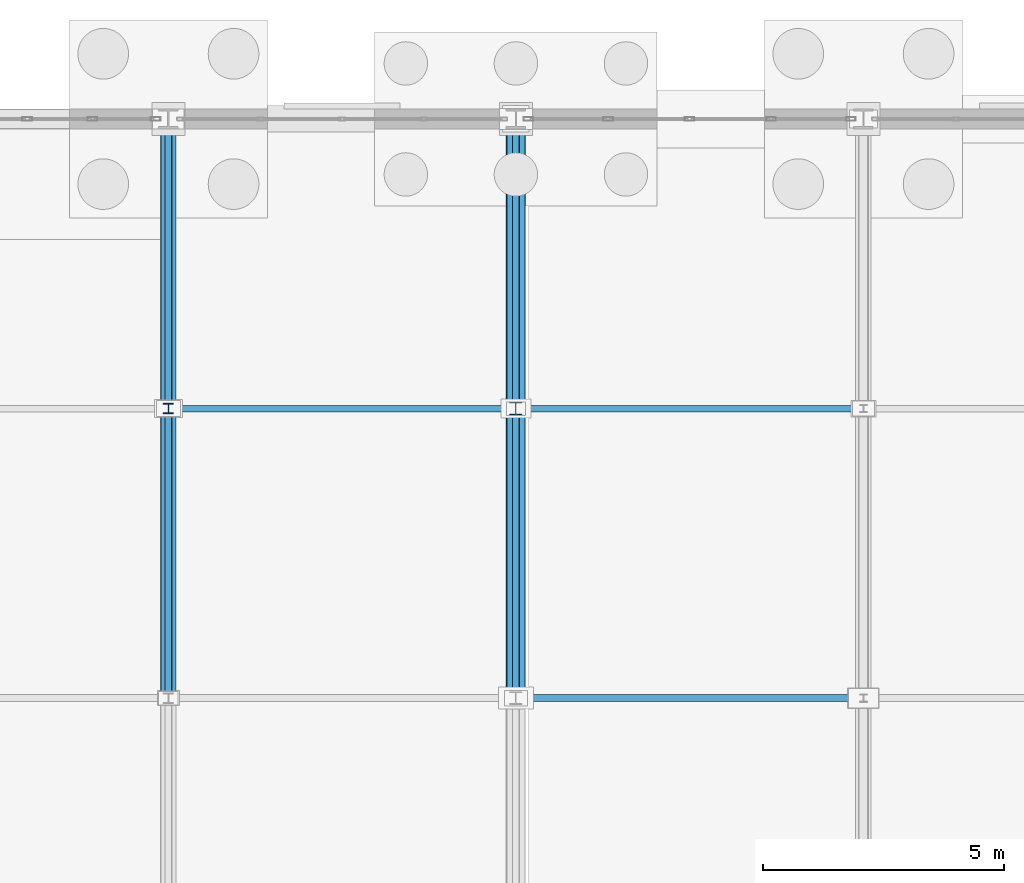
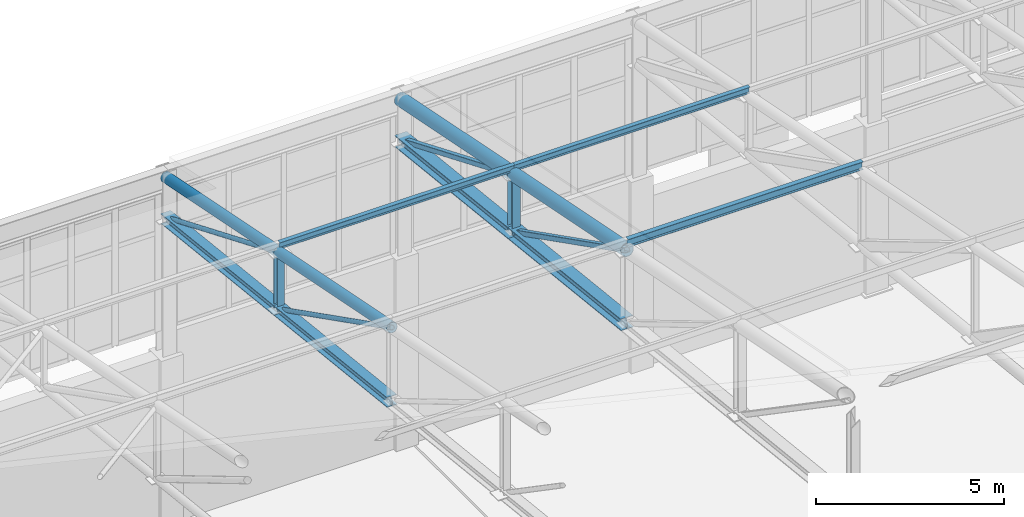
# One storey, part 201 of 293: 17 members.
"""IFC4 building model written with IfcOpenShell, lengths in metres."""

from ifc_helpers import new_model, si_unit, direction, frame, origin, origin_2d, place, context, subcontext, project, spatial, hollow_rectangle, hollow_circle, i_section, extrude, material, material_profile, profile_set, type_object, element, save


model = new_model("IFC4")

# Units and contexts
model_context = context("Model", 3, precision=1e-05, world=origin(), true_north=direction((0.0, 1.0)))
body_context = subcontext(model_context, "Body", "Model", "MODEL_VIEW")
ifc_project = project(units=[si_unit("LENGTHUNIT", "METRE"), si_unit("AREAUNIT", "SQUARE_METRE"), si_unit("VOLUMEUNIT", "CUBIC_METRE"), si_unit("PLANEANGLEUNIT", "RADIAN"), si_unit("MASSUNIT", "GRAM", prefix="KILO")], contexts=[model_context])

# Site, building, storey
site_placement = place(None, origin())
site = spatial("IfcSite", under=ifc_project, at=site_placement, CompositionType="ELEMENT")
building_placement = place(site_placement, origin())
building = spatial("IfcBuilding", under=site, at=building_placement, Name="Kemerveld Promenade Tramway Depot", CompositionType="ELEMENT")
storey_placement = place(building_placement, origin())
storey = spatial("IfcBuildingStorey", under=building, at=storey_placement, Name="L00", CompositionType="ELEMENT", Elevation=0.0)

# Members
ifc_material = material(Name="Steel S355", Category="steel")
ifc_material_profile_1 = material_profile(ifc_material, i_section(OverallWidth=0.25634765625, OverallDepth=0.26025390625, WebThickness=0.01025390625, FlangeThickness=0.017333984375, FilletRadius=0.0126953125, at=origin_2d()), Name="254x254x89 UC")
ifc_profile_set_1 = profile_set([ifc_material_profile_1], Name="Steel S355")
member_type_1 = type_object("IfcMemberType", Name="MB-M04", PredefinedType="POST", material=ifc_profile_set_1)
member_1_placement = place(storey_placement, frame((57.60009765625, 138.0, 10.4599609375), z_axis=(0.0, 0.0, 1.0), x_axis=(1.0, 0.0, 0.0)))
element("IfcMember", 1, at=member_1_placement, inside=storey, type_object=member_type_1, Name="TR-09-VT-09", PredefinedType="POST", context=body_context, shape_type="SweptSolid", body=[
    extrude(i_section(OverallWidth=0.25634765625, OverallDepth=0.26025390625, WebThickness=0.01025390625, FlangeThickness=0.017333984375, FilletRadius=0.0126953125, at=origin_2d()), origin(), (0.0, 0.0, 1.0), 1.840087890625),
])
ifc_material_profile_2 = material_profile(ifc_material, i_section(OverallWidth=0.37255859375, OverallDepth=0.3681640625, WebThickness=0.014404296875, FlangeThickness=0.023681640625, FilletRadius=0.01513671875, at=origin_2d()), Name="356x368x177 UC")
ifc_profile_set_2 = profile_set([ifc_material_profile_2], Name="Steel S355")
member_type_2 = type_object("IfcMemberType", Name="MB-M08", PredefinedType="CHORD", material=ifc_profile_set_2)
for number, where, z_axis, x_axis, name in (
    (2, (57.60009765625, 132.0, 11.1201171875), (0.0, 0.994001542248, -0.109366055104), (-1.0, 0.0, 0.0), "TR-09-BC-09"),
    (3, (57.60009765625, 138.0, 10.4599609375), (0.0, 0.994005938353, -0.109326092585), (-1.0, 0.0, 0.0), "TR-09-BC-10"),
):
    element("IfcMember", number, at=place(storey_placement, frame(where, z_axis=z_axis, x_axis=x_axis)), inside=storey, type_object=member_type_2, Name=name, PredefinedType="CHORD", context=body_context, shape_type="SweptSolid", body=[
        extrude(i_section(OverallWidth=0.37255859375, OverallDepth=0.3681640625, WebThickness=0.014404296875, FlangeThickness=0.023681640625, FilletRadius=0.01513671875, at=origin_2d()), origin(), (0.0, 0.0, 1.0), 6.0361328125),
    ])
ifc_material_profile_3 = material_profile(ifc_material, i_section(OverallWidth=0.146484375, OverallDepth=0.256103515625, WebThickness=0.00634765625, FlangeThickness=0.010986328125, FilletRadius=0.007568359375, at=origin_2d()), Name="254x146x37 UB")
ifc_profile_set_3 = profile_set([ifc_material_profile_3], Name="Steel S355")
member_type_3 = type_object("IfcMemberType", Name="MB-PR3", PredefinedType="PURLIN", material=ifc_profile_set_3)
member_2_placement = place(storey_placement, frame((57.60009765625, 132.0, 13.7451171875), z_axis=(1.0, 0.0, 0.0), x_axis=(0.0, 1.0, 0.0)))
element("IfcMember", 4, at=member_2_placement, inside=storey, type_object=member_type_3, Name="PUR-V1-08-09", PredefinedType="PURLIN", context=body_context, shape_type="SweptSolid", body=[
    extrude(i_section(OverallWidth=0.146484375, OverallDepth=0.256103515625, WebThickness=0.00634765625, FlangeThickness=0.010986328125, FilletRadius=0.007568359375, at=origin_2d()), origin(), (0.0, 0.0, 1.0), 7.199951171875),
])
ifc_material_profile_4 = material_profile(ifc_material, i_section(OverallWidth=0.13330078125, OverallDepth=0.203125, WebThickness=0.005615234375, FlangeThickness=0.0078125, FilletRadius=0.007568359375, at=origin_2d()), Name="203x133x25 UB")
ifc_profile_set_4 = profile_set([ifc_material_profile_4], Name="Steel S355")
member_type_4 = type_object("IfcMemberType", Name="MB-PR4", PredefinedType="PURLIN", material=ifc_profile_set_4)
member_3_placement = place(storey_placement, frame((50.39990234375, 138.0, 12.544921875), z_axis=(1.0, 0.0, 0.0), x_axis=(0.0, 1.0, 0.0)))
element("IfcMember", 5, at=member_3_placement, inside=storey, type_object=member_type_4, Name="PUR-V1-09-08", PredefinedType="PURLIN", context=body_context, shape_type="SweptSolid", body=[
    extrude(i_section(OverallWidth=0.13330078125, OverallDepth=0.203125, WebThickness=0.005615234375, FlangeThickness=0.0078125, FilletRadius=0.007568359375, at=origin_2d()), origin(), (0.0, 0.0, 1.0), 7.2001953125),
])
member_4_placement = place(storey_placement, frame((57.60009765625, 138.0, 12.544921875), z_axis=(1.0, 0.0, 0.0), x_axis=(0.0, 1.0, 0.0)))
element("IfcMember", 6, at=member_4_placement, inside=storey, type_object=member_type_4, Name="PUR-V1-09-09", PredefinedType="PURLIN", context=body_context, shape_type="SweptSolid", body=[
    extrude(i_section(OverallWidth=0.13330078125, OverallDepth=0.203125, WebThickness=0.005615234375, FlangeThickness=0.0078125, FilletRadius=0.007568359375, at=origin_2d()), origin(), (0.0, 0.0, 1.0), 7.199951171875),
])
ifc_material_profile_5 = material_profile(ifc_material, hollow_circle(Radius=0.06982421875, WallThickness=0.00634765625, at=origin_2d()), Name="139.7x6.3 CHS")
ifc_profile_set_5 = profile_set([ifc_material_profile_5], Name="Steel S355")
member_type_5 = type_object("IfcMemberType", Name="MB-TB3", PredefinedType="BRACE", material=ifc_profile_set_5)
member_5_placement = place(storey_placement, frame((50.39990234375, 138.0, 10.4599609375), z_axis=(0.0, -0.892033434612, 0.451969414379), x_axis=(1.0, 0.0, 0.0)))
element("IfcMember", 7, at=member_5_placement, inside=storey, type_object=member_type_5, Name="TR-08-DG-09", PredefinedType="BRACE", context=body_context, shape_type="SweptSolid", body=[
    extrude(hollow_circle(Radius=0.06982421875, WallThickness=0.00634765625, at=origin_2d()), origin(), (0.0, 0.0, 1.0), 6.726318359375),
])
member_6_placement = place(storey_placement, frame((50.39990234375, 144.0, 9.800048828125), z_axis=(0.0, -0.923076923077, 0.384615384615), x_axis=(1.0, 0.0, 0.0)))
element("IfcMember", 8, at=member_6_placement, inside=storey, type_object=member_type_5, Name="TR-08-DG-10", PredefinedType="BRACE", context=body_context, shape_type="SweptSolid", body=[
    extrude(hollow_circle(Radius=0.06982421875, WallThickness=0.00634765625, at=origin_2d()), origin(), (0.0, 0.0, 1.0), 6.5),
])
ifc_material_profile_6 = material_profile(ifc_material, hollow_rectangle(XDim=0.14990234375, YDim=0.14990234375, WallThickness=0.008056640625, InnerFilletRadius=0.00390625, OuterFilletRadius=0.011962890625, at=origin_2d()), Name="150x150x8.0 SHS")
ifc_profile_set_6 = profile_set([ifc_material_profile_6], Name="Steel S355")
member_type_6 = type_object("IfcMemberType", Name="MB-TB4", PredefinedType="BRACE", material=ifc_profile_set_6)
member_7_placement = place(storey_placement, frame((57.60009765625, 138.0, 10.4599609375), z_axis=(0.0, -0.892033434612, 0.451969414379), x_axis=(1.0, 0.0, 0.0)))
element("IfcMember", 9, at=member_7_placement, inside=storey, type_object=member_type_6, Name="TR-09-DG-09", PredefinedType="BRACE", context=body_context, shape_type="SweptSolid", body=[
    extrude(hollow_rectangle(XDim=0.14990234375, YDim=0.14990234375, WallThickness=0.008056640625, InnerFilletRadius=0.00390625, OuterFilletRadius=0.011962890625, at=origin_2d()), origin(), (0.0, 0.0, 1.0), 6.726318359375),
])
member_8_placement = place(storey_placement, frame((57.60009765625, 144.0, 9.800048828125), z_axis=(0.0, -0.923076923077, 0.384615384615), x_axis=(1.0, 0.0, 0.0)))
element("IfcMember", 10, at=member_8_placement, inside=storey, type_object=member_type_6, Name="TR-09-DG-10", PredefinedType="BRACE", context=body_context, shape_type="SweptSolid", body=[
    extrude(hollow_rectangle(XDim=0.14990234375, YDim=0.14990234375, WallThickness=0.008056640625, InnerFilletRadius=0.00390625, OuterFilletRadius=0.011962890625, at=origin_2d()), origin(), (0.0, 0.0, 1.0), 6.5),
])
ifc_material_profile_7 = material_profile(ifc_material, hollow_circle(Radius=0.203125, WallThickness=0.01611328125, at=origin_2d()), Name="406.4x16.0 CHS")
ifc_profile_set_7 = profile_set([ifc_material_profile_7], Name="Steel S355")
member_type_7 = type_object("IfcMemberType", Name="MB-TC1", PredefinedType="CHORD", material=ifc_profile_set_7)
for number, where, z_axis, x_axis, name in (
    (11, (57.60009765625, 132.0, 13.5), (0.0, 0.980582210276, -0.196108462057), (-1.0, 0.0, 0.0), "TR-09-TC-09"),
    (12, (57.60009765625, 138.0, 12.300048828125), (0.0, 0.980582210276, -0.196108462057), (-1.0, 0.0, 0.0), "TR-09-TC-10"),
):
    element("IfcMember", number, at=place(storey_placement, frame(where, z_axis=z_axis, x_axis=x_axis)), inside=storey, type_object=member_type_7, Name=name, PredefinedType="CHORD", context=body_context, shape_type="SweptSolid", body=[
        extrude(hollow_circle(Radius=0.203125, WallThickness=0.01611328125, at=origin_2d()), origin(), (0.0, 0.0, 1.0), 6.118896484375),
    ])
ifc_material_profile_8 = material_profile(ifc_material, hollow_circle(Radius=0.161865234375, WallThickness=0.012451171875, at=origin_2d()), Name="323.9x12.5 CHS")
ifc_profile_set_8 = profile_set([ifc_material_profile_8], Name="Steel S355")
member_type_8 = type_object("IfcMemberType", Name="MB-TC2", PredefinedType="CHORD", material=ifc_profile_set_8)
for number, where, z_axis, x_axis, name in (
    (13, (50.39990234375, 132.0, 13.5), (0.0, 0.980582210276, -0.196108462057), (-1.0, 0.0, 0.0), "TR-08-TC-09"),
    (14, (50.39990234375, 138.0, 12.300048828125), (0.0, 0.980582210276, -0.196108462057), (-1.0, 0.0, 0.0), "TR-08-TC-10"),
):
    element("IfcMember", number, at=place(storey_placement, frame(where, z_axis=z_axis, x_axis=x_axis)), inside=storey, type_object=member_type_8, Name=name, PredefinedType="CHORD", context=body_context, shape_type="SweptSolid", body=[
        extrude(hollow_circle(Radius=0.161865234375, WallThickness=0.012451171875, at=origin_2d()), origin(), (0.0, 0.0, 1.0), 6.118896484375),
    ])
ifc_material_profile_9 = material_profile(ifc_material, i_section(OverallWidth=0.307373046875, OverallDepth=0.314453125, WebThickness=0.011962890625, FlangeThickness=0.018798828125, FilletRadius=0.01513671875, at=origin_2d()), Name="305x305x118 UC")
ifc_profile_set_9 = profile_set([ifc_material_profile_9], Name="Steel S355")
member_type_9 = type_object("IfcMemberType", Name="MB-TC4", PredefinedType="CHORD", material=ifc_profile_set_9)
for number, where, z_axis, x_axis, name in (
    (15, (50.39990234375, 132.0, 11.1201171875), (0.0, 0.994001542248, -0.109366055104), (-1.0, 0.0, 0.0), "TR-08-BC-09"),
    (16, (50.39990234375, 138.0, 10.4599609375), (0.0, 0.994005938353, -0.109326092585), (-1.0, 0.0, 0.0), "TR-08-BC-10"),
):
    element("IfcMember", number, at=place(storey_placement, frame(where, z_axis=z_axis, x_axis=x_axis)), inside=storey, type_object=member_type_9, Name=name, PredefinedType="CHORD", context=body_context, shape_type="SweptSolid", body=[
        extrude(i_section(OverallWidth=0.307373046875, OverallDepth=0.314453125, WebThickness=0.011962890625, FlangeThickness=0.018798828125, FilletRadius=0.01513671875, at=origin_2d()), origin(), (0.0, 0.0, 1.0), 6.0361328125),
    ])
ifc_material_profile_10 = material_profile(ifc_material, i_section(OverallWidth=0.205810546875, OverallDepth=0.209716796875, WebThickness=0.009521484375, FlangeThickness=0.01416015625, FilletRadius=0.01025390625, at=origin_2d()), Name="203x203x60 UC")
ifc_profile_set_10 = profile_set([ifc_material_profile_10], Name="Steel S355")
member_type_10 = type_object("IfcMemberType", Name="MB-TP3", PredefinedType="POST", material=ifc_profile_set_10)
member_9_placement = place(storey_placement, frame((50.39990234375, 138.0, 10.4599609375), z_axis=(0.0, 0.0, 1.0), x_axis=(1.0, 0.0, 0.0)))
element("IfcMember", 17, at=member_9_placement, inside=storey, type_object=member_type_10, Name="TR-08-VT-09", PredefinedType="POST", context=body_context, shape_type="SweptSolid", body=[
    extrude(i_section(OverallWidth=0.205810546875, OverallDepth=0.209716796875, WebThickness=0.009521484375, FlangeThickness=0.01416015625, FilletRadius=0.01025390625, at=origin_2d()), origin(), (0.0, 0.0, 1.0), 1.840087890625),
])

save(model, "model.ifc")
